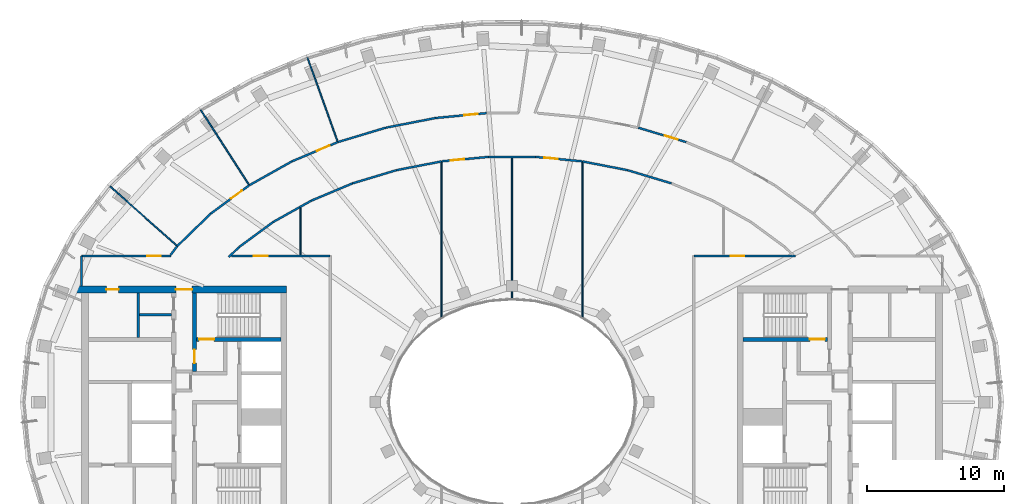
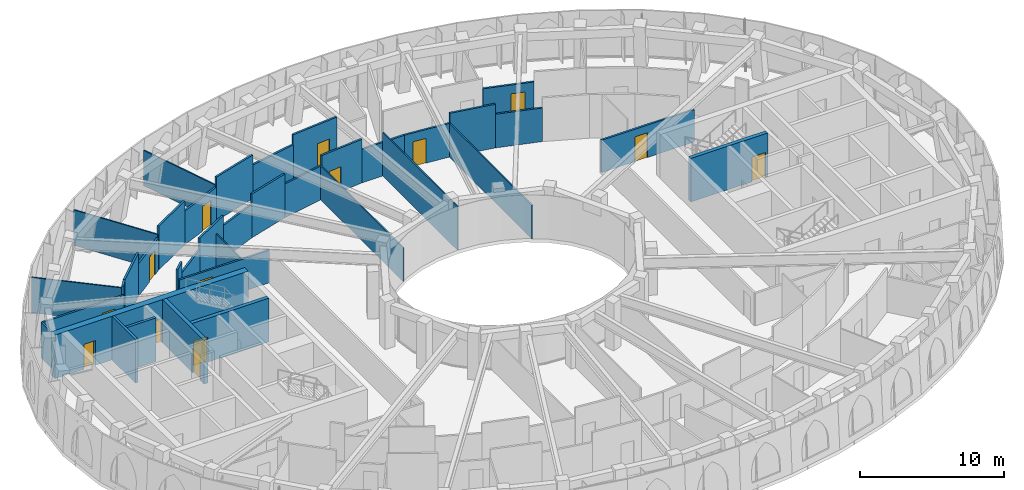
# One storey, part 6 of 15: 37 walls, 14 doors, 14 openings.
"""IFC4 building model written with IfcOpenShell, lengths in metres."""

from ifc_helpers import new_model, si_unit, direction, frame, frame_2d, origin, place, context, subcontext, project, spatial, rectangle, extrude, material, layer, layer_set, type_object, element, fill, save


model = new_model("IFC4")

# Units and contexts
model_context = context("Model", 3, precision=1e-05, world=origin(), true_north=direction((0.0, 1.0)))
body_context = subcontext(model_context, "Body", "Model", "MODEL_VIEW")
ifc_project = project(units=[si_unit("LENGTHUNIT", "METRE"), si_unit("AREAUNIT", "SQUARE_METRE"), si_unit("VOLUMEUNIT", "CUBIC_METRE"), si_unit("PLANEANGLEUNIT", "RADIAN"), si_unit("MASSUNIT", "GRAM", prefix="KILO")], contexts=[model_context])

# Site, building, storey
site_placement = place(None, origin())
site = spatial("IfcSite", under=ifc_project, at=site_placement, CompositionType="ELEMENT")
building_placement = place(site_placement, origin())
building = spatial("IfcBuilding", under=site, at=building_placement, Name="Noorbagh Ring Tower", CompositionType="ELEMENT")
storey_placement = place(building_placement, frame((0.0, 0.0, 331.0)))
storey = spatial("IfcBuildingStorey", under=building, at=storey_placement, Name="L72", CompositionType="ELEMENT", Elevation=331.0)

# Walls
ifc_material_1 = material(Name="Gypsum board on steel studs", Category="steel")
ifc_layer_1 = layer(ifc_material_1, 0.199951171875)
ifc_layer_set_1 = layer_set([ifc_layer_1], Name="Gypsum board on steel studs")
wall_type_1 = type_object("IfcWallType", Name="CORE-PARTITION-200", PredefinedType="PARTITIONING", material=ifc_layer_set_1)
wall_1_placement = place(storey_placement, frame((-27.35009765625, 4.75, 0.0), z_axis=(0.0, 0.0, 1.0), x_axis=(0.0, 1.0, 0.0)))
element("IfcWall", 1, at=wall_1_placement, inside=storey, type_object=wall_type_1, Name="Core partition W", PredefinedType="PARTITIONING", context=body_context, shape_type="SweptSolid", body=[
    extrude(rectangle(XDim=3.25, YDim=0.199951171875, at=frame_2d((1.625, 0.0))), origin(), (0.0, 0.0, 1.0), 3.699951171875),
])
wall_2_placement = place(storey_placement, frame((-24.89990234375, 6.39990234375, 0.0), z_axis=(0.0, 0.0, 1.0), x_axis=(-1.0, 0.0, 0.0)))
element("IfcWall", 2, at=wall_2_placement, inside=storey, type_object=wall_type_1, Name="Core partition W", PredefinedType="PARTITIONING", context=body_context, shape_type="SweptSolid", body=[
    extrude(rectangle(XDim=2.35009765625, YDim=0.199951171875, at=frame_2d((1.175048828125, 0.0))), origin(), (0.0, 0.0, 1.0), 3.699951171875),
])

# Wall, opening, door
ifc_material_2 = material(Name="Concrete C50/60", Category="concrete")
ifc_layer_2 = layer(ifc_material_2, 0.300048828125)
ifc_layer_set_2 = layer_set([ifc_layer_2], Name="Concrete C50/60")
wall_type_2 = type_object("IfcWallType", Name="CORE-WALL-300-C50-60-EI240", PredefinedType="SHEAR", material=ifc_layer_set_2)
wall_3_placement = place(storey_placement, frame((-23.22998046875, 2.25, 0.0), z_axis=(0.0, 0.0, 1.0), x_axis=(0.0, 1.0, 0.0)))
wall_3 = element("IfcWall", 3, at=wall_3_placement, inside=storey, type_object=wall_type_2, Name="Core wall W", PredefinedType="SHEAR", context=body_context, shape_type="SweptSolid", body=[
    extrude(rectangle(XDim=5.75, YDim=0.300048828125, at=frame_2d((2.875, 0.0))), origin(), (0.0, 0.0, 1.0), 3.699951171875),
])
opening_1_placement = place(wall_3_placement, frame((0.60009765625, 0.0, 0.0)))
opening_1 = element("IfcOpeningElement", 4, at=opening_1_placement, cuts=wall_3, Name="Opening L72-CW08", PredefinedType="OPENING", context=body_context, shape_type="SweptSolid", body=[
    extrude(rectangle(XDim=1.0, YDim=2.10009765625, at=frame_2d((0.5, 1.050048828125))), frame((0.0, 0.16015625, 0.0), z_axis=(0.0, -1.0, 0.0), x_axis=(1.0, 0.0, 0.0)), (0.0, 0.0, 1.0), 0.320068359375),
])
ifc_material_3 = material(Name="Steel door leaf", Category="steel")
door_type_1 = type_object("IfcDoorType", Name="CORE-DOOR-DVEST", OperationType="SINGLE_SWING_LEFT", PredefinedType="DOOR", material=ifc_material_3)
door_1_placement = place(opening_1_placement, origin())
door_1 = element("IfcDoor", 5, at=door_1_placement, inside=storey, type_object=door_type_1, Name="Stair vestibule door L72-CW08", OperationType="SINGLE_SWING_LEFT", OverallHeight=2.10009765625, OverallWidth=1.0, PredefinedType="DOOR", context=body_context, shape_type="SweptSolid", body=[
    extrude(rectangle(XDim=1.0, YDim=2.10009765625, at=frame_2d((0.5, 1.050048828125))), frame((0.0, 0.02490234375, 0.0), z_axis=(0.0, -1.0, 0.0), x_axis=(1.0, 0.0, 0.0)), (0.0, 0.0, 1.0), 0.050048828125),
])
fill(opening_1, door_1)

wall_4_placement = place(storey_placement, frame((-16.89990234375, 4.60009765625, 0.0), z_axis=(0.0, 0.0, 1.0), x_axis=(-1.0, 0.0, 0.0)))
wall_4 = element("IfcWall", 6, at=wall_4_placement, inside=storey, type_object=wall_type_2, Name="Core wall W", PredefinedType="SHEAR", context=body_context, shape_type="SweptSolid", body=[
    extrude(rectangle(XDim=6.18017578125, YDim=0.300048828125, at=frame_2d((3.090087890625, 0.0))), origin(), (0.0, 0.0, 1.0), 3.699951171875),
])
opening_2_placement = place(wall_4_placement, frame((4.89990234375, 0.0, 0.0)))
opening_2 = element("IfcOpeningElement", 7, at=opening_2_placement, cuts=wall_4, Name="Opening L72-CW05", PredefinedType="OPENING", context=body_context, shape_type="SweptSolid", body=[
    extrude(rectangle(XDim=1.10009765625, YDim=2.10009765625, at=frame_2d((0.550048828125, 1.050048828125))), frame((0.0, 0.16015625, 0.0), z_axis=(0.0, -1.0, 0.0), x_axis=(1.0, 0.0, 0.0)), (0.0, 0.0, 1.0), 0.320068359375),
])
ifc_material_4 = material(Name="Steel door leaf", Category="steel")
door_type_2 = type_object("IfcDoorType", Name="CORE-DOOR-DSTAIR", OperationType="SINGLE_SWING_LEFT", PredefinedType="DOOR", material=ifc_material_4)
door_2_placement = place(opening_2_placement, origin())
door_2 = element("IfcDoor", 8, at=door_2_placement, inside=storey, type_object=door_type_2, Name="Stair door ST1 L72-CW05", OperationType="SINGLE_SWING_RIGHT", OverallHeight=2.10009765625, OverallWidth=1.10009765625, PredefinedType="DOOR", context=body_context, shape_type="SweptSolid", body=[
    extrude(rectangle(XDim=1.10009765625, YDim=2.10009765625, at=frame_2d((0.550048828125, 1.050048828125))), frame((0.0, 0.02490234375, 0.0), z_axis=(0.0, -1.0, 0.0), x_axis=(1.0, 0.0, 0.0)), (0.0, 0.0, 1.0), 0.050048828125),
])
fill(opening_2, door_2)

wall_5_placement = place(storey_placement, frame((16.89990234375, 4.60009765625, 0.0), z_axis=(0.0, 0.0, 1.0), x_axis=(1.0, 0.0, 0.0)))
wall_5 = element("IfcWall", 9, at=wall_5_placement, inside=storey, type_object=wall_type_2, Name="Core wall E", PredefinedType="SHEAR", context=body_context, shape_type="SweptSolid", body=[
    extrude(rectangle(XDim=6.18017578125, YDim=0.300048828125, at=frame_2d((3.090087890625, 0.0))), origin(), (0.0, 0.0, 1.0), 3.699951171875),
])
opening_3_placement = place(wall_5_placement, frame((4.89990234375, 0.0, 0.0)))
opening_3 = element("IfcOpeningElement", 10, at=opening_3_placement, cuts=wall_5, Name="Opening L72-CE04", PredefinedType="OPENING", context=body_context, shape_type="SweptSolid", body=[
    extrude(rectangle(XDim=1.10009765625, YDim=2.10009765625, at=frame_2d((0.550048828125, 1.050048828125))), frame((0.0, 0.16015625, 0.0), z_axis=(0.0, -1.0, 0.0), x_axis=(1.0, 0.0, 0.0)), (0.0, 0.0, 1.0), 0.320068359375),
])
door_3_placement = place(opening_3_placement, origin())
door_3 = element("IfcDoor", 11, at=door_3_placement, inside=storey, type_object=door_type_2, Name="Stair door ST3 L72-CE04", OperationType="SINGLE_SWING_LEFT", OverallHeight=2.10009765625, OverallWidth=1.10009765625, PredefinedType="DOOR", context=body_context, shape_type="SweptSolid", body=[
    extrude(rectangle(XDim=1.10009765625, YDim=2.10009765625, at=frame_2d((0.550048828125, 1.050048828125))), frame((0.0, 0.02490234375, 0.0), z_axis=(0.0, -1.0, 0.0), x_axis=(1.0, 0.0, 0.0)), (0.0, 0.0, 1.0), 0.050048828125),
])
fill(opening_3, door_3)

# Wall, openings, doors
ifc_material_5 = material(Name="Concrete C50/60", Category="concrete")
ifc_layer_3 = layer(ifc_material_5, 0.5)
ifc_layer_set_3 = layer_set([ifc_layer_3], Name="Concrete C50/60")
wall_type_3 = type_object("IfcWallType", Name="CORE-WALL-500-C50-60-EI240", PredefinedType="SHEAR", material=ifc_layer_set_3)
wall_6_placement = place(storey_placement, frame((-16.5, 8.25, 0.0), z_axis=(0.0, 0.0, 1.0), x_axis=(-1.0, 0.0, 0.0)))
wall_6 = element("IfcWall", 12, at=wall_6_placement, inside=storey, type_object=wall_type_3, Name="Core wall W", PredefinedType="SHEAR", context=body_context, shape_type="SweptSolid", body=[
    extrude(rectangle(XDim=15.5, YDim=0.5, at=frame_2d((7.75, 0.0))), origin(), (0.0, 0.0, 1.0), 3.699951171875),
])
opening_4_placement = place(wall_6_placement, frame((6.89990234375, 0.0, 0.0)))
opening_4 = element("IfcOpeningElement", 13, at=opening_4_placement, cuts=wall_6, Name="Opening L72-CW09", PredefinedType="OPENING", context=body_context, shape_type="SweptSolid", body=[
    extrude(rectangle(XDim=1.199951171875, YDim=2.10009765625, at=frame_2d((0.60009765625, 1.050048828125))), frame((0.0, 0.260009765625, 0.0), z_axis=(0.0, -1.0, 0.0), x_axis=(1.0, 0.0, 0.0)), (0.0, 0.0, 1.0), 0.52001953125),
])
opening_5_placement = place(wall_6_placement, frame((12.27490234375, 0.0, 0.0)))
opening_5 = element("IfcOpeningElement", 14, at=opening_5_placement, cuts=wall_6, Name="Opening L72-CW14", PredefinedType="OPENING", context=body_context, shape_type="SweptSolid", body=[
    extrude(rectangle(XDim=0.89990234375, YDim=2.10009765625, at=frame_2d((0.449951171875, 1.050048828125))), frame((0.0, 0.260009765625, 0.0), z_axis=(0.0, -1.0, 0.0), x_axis=(1.0, 0.0, 0.0)), (0.0, 0.0, 1.0), 0.52001953125),
])
ifc_material_6 = material(Name="Steel door leaf", Category="steel")
door_type_3 = type_object("IfcDoorType", Name="CORE-DOOR-DROOM", OperationType="SINGLE_SWING_LEFT", PredefinedType="DOOR", material=ifc_material_6)
door_4_placement = place(opening_5_placement, origin())
door_4 = element("IfcDoor", 15, at=door_4_placement, inside=storey, type_object=door_type_3, Name="Core room door L72-CW14", OperationType="SINGLE_SWING_RIGHT", OverallHeight=2.10009765625, OverallWidth=0.89990234375, PredefinedType="DOOR", context=body_context, shape_type="SweptSolid", body=[
    extrude(rectangle(XDim=0.89990234375, YDim=2.10009765625, at=frame_2d((0.449951171875, 1.050048828125))), frame((0.0, 0.02490234375, 0.0), z_axis=(0.0, -1.0, 0.0), x_axis=(1.0, 0.0, 0.0)), (0.0, 0.0, 1.0), 0.050048828125),
])
fill(opening_5, door_4)
ifc_material_7 = material(Name="Steel door leaf", Category="steel")
door_type_4 = type_object("IfcDoorType", Name="CORE-DOOR-PORT", OperationType="DOUBLE_DOOR_DOUBLE_SWING", PredefinedType="DOOR", material=ifc_material_7)
door_5_placement = place(opening_4_placement, origin())
door_5 = element("IfcDoor", 16, at=door_5_placement, inside=storey, type_object=door_type_4, Name="Core entrance door L72-CW09", OperationType="DOUBLE_DOOR_DOUBLE_SWING", OverallHeight=2.10009765625, OverallWidth=1.199951171875, PredefinedType="DOOR", context=body_context, shape_type="SweptSolid", body=[
    extrude(rectangle(XDim=1.199951171875, YDim=2.10009765625, at=frame_2d((0.60009765625, 1.050048828125))), frame((0.0, 0.02490234375, 0.0), z_axis=(0.0, -1.0, 0.0), x_axis=(1.0, 0.0, 0.0)), (0.0, 0.0, 1.0), 0.050048828125),
])
fill(opening_4, door_5)

# Wall
ifc_material_8 = material(Name="Gypsum board on steel studs", Category="steel")
ifc_layer_4 = layer(ifc_material_8, 0.14990234375)
ifc_layer_set_4 = layer_set([ifc_layer_4], Name="Gypsum board on steel studs")
wall_type_4 = type_object("IfcWallType", Name="CORRIDOR PARTITION 150 EI 30", PredefinedType="PARTITIONING", material=ifc_layer_set_4)
wall_7_placement = place(storey_placement, frame((-31.5, 8.5, 0.0), z_axis=(0.0, 0.0, 1.0), x_axis=(0.0, 1.0, 0.0)))
element("IfcWall", 17, at=wall_7_placement, inside=storey, type_object=wall_type_4, Name="L72/wall/P04", PredefinedType="PARTITIONING", context=body_context, shape_type="SweptSolid", body=[
    extrude(rectangle(XDim=2.199951171875, YDim=0.14990234375, at=frame_2d((1.10009765625, 0.0))), origin(), (0.0, 0.0, 1.0), 3.0),
])

# Wall, opening, door
wall_8_placement = place(storey_placement, frame((-31.5, 10.699951171875, 0.0), z_axis=(0.0, 0.0, 1.0), x_axis=(1.0, 0.0, 0.0)))
wall_8 = element("IfcWall", 18, at=wall_8_placement, inside=storey, type_object=wall_type_4, Name="L72/wall/P05", PredefinedType="PARTITIONING", context=body_context, shape_type="SweptSolid", body=[
    extrude(rectangle(XDim=6.554931640625, YDim=0.14990234375, at=frame_2d((3.27734375, 0.0))), origin(), (0.0, 0.0, 1.0), 3.0),
])
opening_6_placement = place(wall_8_placement, frame((4.81103515625, 0.0, 0.0)))
opening_6 = element("IfcOpeningElement", 19, at=opening_6_placement, cuts=wall_8, Name="Opening D1", PredefinedType="OPENING", context=body_context, shape_type="SweptSolid", body=[
    extrude(rectangle(XDim=1.0, YDim=2.10009765625, at=frame_2d((0.5, 1.050048828125))), frame((0.0, 0.0849609375, 0.0), z_axis=(0.0, -1.0, 0.0), x_axis=(1.0, 0.0, 0.0)), (0.0, 0.0, 1.0), 0.169921875),
])
ifc_material_9 = material(Name="Timber, painted", Category="wood")
door_type_5 = type_object("IfcDoorType", Name="DOOR 1000 X 2100 FD30", OperationType="SINGLE_SWING_LEFT", PredefinedType="DOOR", material=ifc_material_9)
door_6_placement = place(opening_6_placement, origin())
door_6 = element("IfcDoor", 20, at=door_6_placement, inside=storey, type_object=door_type_5, Name="L72-D07", OperationType="SINGLE_SWING_LEFT", OverallHeight=2.10009765625, OverallWidth=1.0, PredefinedType="DOOR", context=body_context, shape_type="SweptSolid", body=[
    extrude(rectangle(XDim=1.0, YDim=2.10009765625, at=frame_2d((0.5, 1.050048828125))), frame((0.0, 0.02490234375, 0.0), z_axis=(0.0, -1.0, 0.0), x_axis=(1.0, 0.0, 0.0)), (0.0, 0.0, 1.0), 0.050048828125),
])
fill(opening_6, door_6)

# Walls
wall_9_placement = place(storey_placement, frame((-24.98193359375, 10.77490234375, 0.0), z_axis=(0.0, 0.0, 1.0), x_axis=(0.605137674799, 0.796120841668, 0.0)))
element("IfcWall", 21, at=wall_9_placement, inside=storey, type_object=wall_type_4, Name="L72/wall/P09", PredefinedType="PARTITIONING", context=body_context, shape_type="SweptSolid", body=[
    extrude(rectangle(XDim=0.79638671875, YDim=0.14990234375, at=frame_2d((0.398193359375, 0.0))), origin(), (0.0, 0.0, 1.0), 3.699951171875),
])
wall_10_placement = place(storey_placement, frame((-24.488037109375, 11.425048828125, 0.0), z_axis=(0.0, 0.0, 1.0), x_axis=(0.717739743756, 0.696311467831, 0.0)))
element("IfcWall", 22, at=wall_10_placement, inside=storey, type_object=wall_type_4, Name="L72/wall/P11", PredefinedType="PARTITIONING", context=body_context, shape_type="SweptSolid", body=[
    extrude(rectangle(XDim=3.40673828125, YDim=0.14990234375, at=frame_2d((1.703369140625, 0.0))), origin(), (0.0, 0.0, 1.0), 3.699951171875),
])

# Wall, opening, door
wall_11_placement = place(storey_placement, frame((-22.04296875, 13.797119140625, 0.0), z_axis=(0.0, 0.0, 1.0), x_axis=(0.805646089286, 0.592397146193, 0.0)))
wall_11 = element("IfcWall", 23, at=wall_11_placement, inside=storey, type_object=wall_type_4, Name="L72/wall/P15", PredefinedType="PARTITIONING", context=body_context, shape_type="SweptSolid", body=[
    extrude(rectangle(XDim=3.48046875, YDim=0.14990234375, at=frame_2d((1.740234375, 0.0))), origin(), (0.0, 0.0, 1.0), 2.75),
])
opening_7_placement = place(wall_11_placement, frame((1.8505859375, 0.0, 0.0)))
opening_7 = element("IfcOpeningElement", 24, at=opening_7_placement, cuts=wall_11, Name="Opening D1", PredefinedType="OPENING", context=body_context, shape_type="SweptSolid", body=[
    extrude(rectangle(XDim=1.0, YDim=2.10009765625, at=frame_2d((0.5, 1.050048828125))), frame((0.0, 0.0849609375, 0.0), z_axis=(0.0, -1.0, 0.0), x_axis=(1.0, 0.0, 0.0)), (0.0, 0.0, 1.0), 0.169921875),
])
door_7_placement = place(opening_7_placement, origin())
door_7 = element("IfcDoor", 25, at=door_7_placement, inside=storey, type_object=door_type_5, Name="L72-D09", OperationType="SINGLE_SWING_LEFT", OverallHeight=2.10009765625, OverallWidth=1.0, PredefinedType="DOOR", context=body_context, shape_type="SweptSolid", body=[
    extrude(rectangle(XDim=1.0, YDim=2.10009765625, at=frame_2d((0.5, 1.050048828125))), frame((0.0, 0.02490234375, 0.0), z_axis=(0.0, -1.0, 0.0), x_axis=(1.0, 0.0, 0.0)), (0.0, 0.0, 1.0), 0.050048828125),
])
fill(opening_7, door_7)

# Wall
wall_12_placement = place(storey_placement, frame((-20.717041015625, 10.625, 0.0), z_axis=(0.0, 0.0, 1.0), x_axis=(0.71772586077, 0.696325777766, 0.0)))
element("IfcWall", 26, at=wall_12_placement, inside=storey, type_object=wall_type_4, Name="L72/wall/P18", PredefinedType="PARTITIONING", context=body_context, shape_type="SweptSolid", body=[
    extrude(rectangle(XDim=1.0380859375, YDim=0.14990234375, at=frame_2d((0.51904296875, 0.0))), origin(), (0.0, 0.0, 1.0), 3.699951171875),
])

# Wall, opening, door
wall_13_placement = place(storey_placement, frame((-20.531982421875, 10.699951171875, 0.0), z_axis=(0.0, 0.0, 1.0), x_axis=(1.0, 0.0, 0.0)))
wall_13 = element("IfcWall", 27, at=wall_13_placement, inside=storey, type_object=wall_type_4, Name="L72/wall/P19", PredefinedType="PARTITIONING", context=body_context, shape_type="SweptSolid", body=[
    extrude(rectangle(XDim=7.23193359375, YDim=0.14990234375, at=frame_2d((3.615966796875, 0.0))), origin(), (0.0, 0.0, 1.0), 2.75),
])
opening_8_placement = place(wall_13_placement, frame((1.652099609375, 0.0, 0.0)))
opening_8 = element("IfcOpeningElement", 28, at=opening_8_placement, cuts=wall_13, Name="Opening D1", PredefinedType="OPENING", context=body_context, shape_type="SweptSolid", body=[
    extrude(rectangle(XDim=1.0, YDim=2.10009765625, at=frame_2d((0.5, 1.050048828125))), frame((0.0, 0.0849609375, 0.0), z_axis=(0.0, -1.0, 0.0), x_axis=(1.0, 0.0, 0.0)), (0.0, 0.0, 1.0), 0.169921875),
])
door_8_placement = place(opening_8_placement, origin())
door_8 = element("IfcDoor", 29, at=door_8_placement, inside=storey, type_object=door_type_5, Name="L72-D24", OperationType="SINGLE_SWING_RIGHT", OverallHeight=2.10009765625, OverallWidth=1.0, PredefinedType="DOOR", context=body_context, shape_type="SweptSolid", body=[
    extrude(rectangle(XDim=1.0, YDim=2.10009765625, at=frame_2d((0.5, 1.050048828125))), frame((0.0, 0.02490234375, 0.0), z_axis=(0.0, -1.0, 0.0), x_axis=(1.0, 0.0, 0.0)), (0.0, 0.0, 1.0), 0.050048828125),
])
fill(opening_8, door_8)

# Walls
wall_14_placement = place(storey_placement, frame((-19.971923828125, 11.347900390625, 0.0), z_axis=(0.0, 0.0, 1.0), x_axis=(0.805604364185, 0.592453887156, 0.0)))
element("IfcWall", 30, at=wall_14_placement, inside=storey, type_object=wall_type_4, Name="L72/wall/P21", PredefinedType="PARTITIONING", context=body_context, shape_type="SweptSolid", body=[
    extrude(rectangle(XDim=3.085693359375, YDim=0.14990234375, at=frame_2d((1.54296875, 0.0))), origin(), (0.0, 0.0, 1.0), 2.75),
])
wall_15_placement = place(storey_placement, frame((-19.205078125, 15.881103515625, 0.0), z_axis=(0.0, 0.0, 1.0), x_axis=(0.872347968233, 0.488885489986, 0.0)))
element("IfcWall", 31, at=wall_15_placement, inside=storey, type_object=wall_type_4, Name="L72/wall/P23", PredefinedType="PARTITIONING", context=body_context, shape_type="SweptSolid", body=[
    extrude(rectangle(XDim=3.55712890625, YDim=0.14990234375, at=frame_2d((1.778564453125, 0.0))), origin(), (0.0, 0.0, 1.0), 3.699951171875),
])
wall_16_placement = place(storey_placement, frame((-17.486083984375, 13.176025390625, 0.0), z_axis=(0.0, 0.0, 1.0), x_axis=(0.87243050092, 0.488738192762, 0.0)))
element("IfcWall", 32, at=wall_16_placement, inside=storey, type_object=wall_type_4, Name="L72/wall/P25", PredefinedType="PARTITIONING", context=body_context, shape_type="SweptSolid", body=[
    extrude(rectangle(XDim=3.197998046875, YDim=0.14990234375, at=frame_2d((1.59912109375, 0.0))), origin(), (0.0, 0.0, 1.0), 3.699951171875),
])

# Wall, opening, door
wall_17_placement = place(storey_placement, frame((-16.10205078125, 17.6201171875, 0.0), z_axis=(0.0, 0.0, 1.0), x_axis=(0.922059204721, 0.387048863826, 0.0)))
wall_17 = element("IfcWall", 33, at=wall_17_placement, inside=storey, type_object=wall_type_4, Name="L72/wall/P27", PredefinedType="PARTITIONING", context=body_context, shape_type="SweptSolid", body=[
    extrude(rectangle(XDim=3.616943359375, YDim=0.14990234375, at=frame_2d((1.80859375, 0.0))), origin(), (0.0, 0.0, 1.0), 2.85009765625),
])
opening_9_placement = place(wall_17_placement, frame((1.987548828125, 0.0, 0.0)))
opening_9 = element("IfcOpeningElement", 34, at=opening_9_placement, cuts=wall_17, Name="Opening D1", PredefinedType="OPENING", context=body_context, shape_type="SweptSolid", body=[
    extrude(rectangle(XDim=1.0, YDim=2.10009765625, at=frame_2d((0.5, 1.050048828125))), frame((0.0, 0.0849609375, 0.0), z_axis=(0.0, -1.0, 0.0), x_axis=(1.0, 0.0, 0.0)), (0.0, 0.0, 1.0), 0.169921875),
])
door_9_placement = place(opening_9_placement, origin())
door_9 = element("IfcDoor", 35, at=door_9_placement, inside=storey, type_object=door_type_5, Name="L72-D11", OperationType="SINGLE_SWING_LEFT", OverallHeight=2.10009765625, OverallWidth=1.0, PredefinedType="DOOR", context=body_context, shape_type="SweptSolid", body=[
    extrude(rectangle(XDim=1.0, YDim=2.10009765625, at=frame_2d((0.5, 1.050048828125))), frame((0.0, 0.02490234375, 0.0), z_axis=(0.0, -1.0, 0.0), x_axis=(1.0, 0.0, 0.0)), (0.0, 0.0, 1.0), 0.050048828125),
])
fill(opening_9, door_9)

# Walls
wall_18_placement = place(storey_placement, frame((-14.696044921875, 14.739013671875, 0.0), z_axis=(0.0, 0.0, 1.0), x_axis=(0.921990059586, 0.387213545766, 0.0)))
element("IfcWall", 36, at=wall_18_placement, inside=storey, type_object=wall_type_4, Name="L72/wall/P33", PredefinedType="PARTITIONING", context=body_context, shape_type="SweptSolid", body=[
    extrude(rectangle(XDim=3.287353515625, YDim=0.14990234375, at=frame_2d((1.6435546875, 0.0))), origin(), (0.0, 0.0, 1.0), 2.85009765625),
])
wall_19_placement = place(storey_placement, frame((-12.748046875, 19.028076171875, 0.0), z_axis=(0.0, 0.0, 1.0), x_axis=(0.957729475266, 0.287670388131, 0.0)))
element("IfcWall", 37, at=wall_19_placement, inside=storey, type_object=wall_type_4, Name="L72/wall/P36", PredefinedType="PARTITIONING", context=body_context, shape_type="SweptSolid", body=[
    extrude(rectangle(XDim=3.6806640625, YDim=0.14990234375, at=frame_2d((1.84033203125, 0.0))), origin(), (0.0, 0.0, 1.0), 3.699951171875),
])
wall_20_placement = place(storey_placement, frame((-11.6650390625, 16.011962890625, 0.0), z_axis=(0.0, 0.0, 1.0), x_axis=(0.957734013197, 0.287655279747, 0.0)))
element("IfcWall", 38, at=wall_20_placement, inside=storey, type_object=wall_type_4, Name="L72/wall/P38", PredefinedType="PARTITIONING", context=body_context, shape_type="SweptSolid", body=[
    extrude(rectangle(XDim=3.3515625, YDim=0.14990234375, at=frame_2d((1.67578125, 0.0))), origin(), (0.0, 0.0, 1.0), 3.699951171875),
])
wall_21_placement = place(storey_placement, frame((-9.222900390625, 20.0869140625, 0.0), z_axis=(0.0, 0.0, 1.0), x_axis=(0.981690282658, 0.190484091027, 0.0)))
element("IfcWall", 39, at=wall_21_placement, inside=storey, type_object=wall_type_4, Name="L72/wall/P40", PredefinedType="PARTITIONING", context=body_context, shape_type="SweptSolid", body=[
    extrude(rectangle(XDim=3.711669921875, YDim=0.14990234375, at=frame_2d((1.85595703125, 0.0))), origin(), (0.0, 0.0, 1.0), 2.85009765625),
])
wall_22_placement = place(storey_placement, frame((-8.455078125, 16.97607421875, 0.0), z_axis=(0.0, 0.0, 1.0), x_axis=(0.981716325185, 0.190349827592, 0.0)))
element("IfcWall", 40, at=wall_22_placement, inside=storey, type_object=wall_type_4, Name="L72/wall/P42", PredefinedType="PARTITIONING", context=body_context, shape_type="SweptSolid", body=[
    extrude(rectangle(XDim=3.3564453125, YDim=0.14990234375, at=frame_2d((1.67822265625, 0.0))), origin(), (0.0, 0.0, 1.0), 2.85009765625),
])

# Wall, opening, door
wall_23_placement = place(storey_placement, frame((-5.5791015625, 20.7939453125, 0.0), z_axis=(0.0, 0.0, 1.0), x_axis=(0.995483694889, 0.09493267725, 0.0)))
wall_23 = element("IfcWall", 41, at=wall_23_placement, inside=storey, type_object=wall_type_4, Name="L72/wall/P44", PredefinedType="PARTITIONING", context=body_context, shape_type="SweptSolid", body=[
    extrude(rectangle(XDim=3.72900390625, YDim=0.14990234375, at=frame_2d((1.864501953125, 0.0))), origin(), (0.0, 0.0, 1.0), 3.699951171875),
])
opening_10_placement = place(wall_23_placement, frame((2.078857421875, 0.0, 0.0)))
opening_10 = element("IfcOpeningElement", 42, at=opening_10_placement, cuts=wall_23, Name="Opening D1", PredefinedType="OPENING", context=body_context, shape_type="SweptSolid", body=[
    extrude(rectangle(XDim=1.0, YDim=2.10009765625, at=frame_2d((0.5, 1.050048828125))), frame((0.0, 0.0849609375, 0.0), z_axis=(0.0, -1.0, 0.0), x_axis=(1.0, 0.0, 0.0)), (0.0, 0.0, 1.0), 0.169921875),
])
door_10_placement = place(opening_10_placement, origin())
door_10 = element("IfcDoor", 43, at=door_10_placement, inside=storey, type_object=door_type_5, Name="L72-D13", OperationType="SINGLE_SWING_LEFT", OverallHeight=2.10009765625, OverallWidth=1.0, PredefinedType="DOOR", context=body_context, shape_type="SweptSolid", body=[
    extrude(rectangle(XDim=1.0, YDim=2.10009765625, at=frame_2d((0.5, 1.050048828125))), frame((0.0, 0.02490234375, 0.0), z_axis=(0.0, -1.0, 0.0), x_axis=(1.0, 0.0, 0.0)), (0.0, 0.0, 1.0), 0.050048828125),
])
fill(opening_10, door_10)

wall_24_placement = place(storey_placement, frame((-5.12109375, 17.623046875, 0.0), z_axis=(0.0, 0.0, 1.0), x_axis=(0.995479744688, 0.094974090759, 0.0)))
wall_24 = element("IfcWall", 44, at=wall_24_placement, inside=storey, type_object=wall_type_4, Name="L72/wall/P48", PredefinedType="PARTITIONING", context=body_context, shape_type="SweptSolid", body=[
    extrude(rectangle(XDim=3.42138671875, YDim=0.14990234375, at=frame_2d((1.710693359375, 0.0))), origin(), (0.0, 0.0, 1.0), 3.699951171875),
])
opening_11_placement = place(wall_24_placement, frame((0.64990234375, 0.0, 0.0)))
opening_11 = element("IfcOpeningElement", 45, at=opening_11_placement, cuts=wall_24, Name="Opening D1", PredefinedType="OPENING", context=body_context, shape_type="SweptSolid", body=[
    extrude(rectangle(XDim=1.0, YDim=2.10009765625, at=frame_2d((0.5, 1.050048828125))), frame((0.0, 0.0849609375, 0.0), z_axis=(0.0, -1.0, 0.0), x_axis=(1.0, 0.0, 0.0)), (0.0, 0.0, 1.0), 0.169921875),
])
door_11_placement = place(opening_11_placement, origin())
door_11 = element("IfcDoor", 46, at=door_11_placement, inside=storey, type_object=door_type_5, Name="L72-D27", OperationType="SINGLE_SWING_LEFT", OverallHeight=2.10009765625, OverallWidth=1.0, PredefinedType="DOOR", context=body_context, shape_type="SweptSolid", body=[
    extrude(rectangle(XDim=1.0, YDim=2.10009765625, at=frame_2d((0.5, 1.050048828125))), frame((0.0, 0.02490234375, 0.0), z_axis=(0.0, -1.0, 0.0), x_axis=(1.0, 0.0, 0.0)), (0.0, 0.0, 1.0), 0.050048828125),
])
fill(opening_11, door_11)

# Wall
wall_25_placement = place(storey_placement, frame((-1.715087890625, 17.947998046875, 0.0), z_axis=(0.0, 0.0, 1.0), x_axis=(1.0, 0.0, 0.0)))
element("IfcWall", 47, at=wall_25_placement, inside=storey, type_object=wall_type_4, Name="L72/wall/P52", PredefinedType="PARTITIONING", context=body_context, shape_type="SweptSolid", body=[
    extrude(rectangle(XDim=3.43017578125, YDim=0.14990234375, at=frame_2d((1.715087890625, 0.0))), origin(), (0.0, 0.0, 1.0), 2.85009765625),
])

# Wall, opening, door
wall_26_placement = place(storey_placement, frame((1.715087890625, 17.947998046875, 0.0), z_axis=(0.0, 0.0, 1.0), x_axis=(0.995479744688, -0.094974090759, 0.0)))
wall_26 = element("IfcWall", 48, at=wall_26_placement, inside=storey, type_object=wall_type_4, Name="L72/wall/P62", PredefinedType="PARTITIONING", context=body_context, shape_type="SweptSolid", body=[
    extrude(rectangle(XDim=3.42138671875, YDim=0.14990234375, at=frame_2d((1.710693359375, 0.0))), origin(), (0.0, 0.0, 1.0), 2.85009765625),
])
opening_12_placement = place(wall_26_placement, frame((0.64990234375, 0.0, 0.0)))
opening_12 = element("IfcOpeningElement", 49, at=opening_12_placement, cuts=wall_26, Name="Opening D1", PredefinedType="OPENING", context=body_context, shape_type="SweptSolid", body=[
    extrude(rectangle(XDim=1.0, YDim=2.10009765625, at=frame_2d((0.5, 1.050048828125))), frame((0.0, 0.0849609375, 0.0), z_axis=(0.0, -1.0, 0.0), x_axis=(1.0, 0.0, 0.0)), (0.0, 0.0, 1.0), 0.169921875),
])
door_12_placement = place(opening_12_placement, origin())
door_12 = element("IfcDoor", 50, at=door_12_placement, inside=storey, type_object=door_type_5, Name="L72-D29", OperationType="SINGLE_SWING_LEFT", OverallHeight=2.10009765625, OverallWidth=1.0, PredefinedType="DOOR", context=body_context, shape_type="SweptSolid", body=[
    extrude(rectangle(XDim=1.0, YDim=2.10009765625, at=frame_2d((0.5, 1.050048828125))), frame((0.0, 0.02490234375, 0.0), z_axis=(0.0, -1.0, 0.0), x_axis=(1.0, 0.0, 0.0)), (0.0, 0.0, 1.0), 0.050048828125),
])
fill(opening_12, door_12)

# Walls
wall_27_placement = place(storey_placement, frame((5.159912109375, 17.614990234375, 0.0), z_axis=(0.0, 0.0, 1.0), x_axis=(0.981716325185, -0.190349827592, 0.0)))
element("IfcWall", 51, at=wall_27_placement, inside=storey, type_object=wall_type_4, Name="L72/wall/P70", PredefinedType="PARTITIONING", context=body_context, shape_type="SweptSolid", body=[
    extrude(rectangle(XDim=3.3564453125, YDim=0.14990234375, at=frame_2d((1.67822265625, 0.0))), origin(), (0.0, 0.0, 1.0), 3.699951171875),
])
wall_28_placement = place(storey_placement, frame((8.455078125, 16.97607421875, 0.0), z_axis=(0.0, 0.0, 1.0), x_axis=(0.957734013197, -0.287655279747, 0.0)))
element("IfcWall", 52, at=wall_28_placement, inside=storey, type_object=wall_type_4, Name="L72/wall/P74", PredefinedType="PARTITIONING", context=body_context, shape_type="SweptSolid", body=[
    extrude(rectangle(XDim=3.3515625, YDim=0.14990234375, at=frame_2d((1.67578125, 0.0))), origin(), (0.0, 0.0, 1.0), 2.85009765625),
])

# Wall, opening, door
wall_29_placement = place(storey_placement, frame((9.241943359375, 20.0810546875, 0.0), z_axis=(0.0, 0.0, 1.0), x_axis=(0.957739972899, -0.287635436468, 0.0)))
wall_29 = element("IfcWall", 53, at=wall_29_placement, inside=storey, type_object=wall_type_4, Name="L72/wall/P78", PredefinedType="PARTITIONING", context=body_context, shape_type="SweptSolid", body=[
    extrude(rectangle(XDim=3.660888671875, YDim=0.14990234375, at=frame_2d((1.83056640625, 0.0))), origin(), (0.0, 0.0, 1.0), 2.85009765625),
])
opening_13_placement = place(wall_29_placement, frame((2.0107421875, 0.0, 0.0)))
opening_13 = element("IfcOpeningElement", 54, at=opening_13_placement, cuts=wall_29, Name="Opening D1", PredefinedType="OPENING", context=body_context, shape_type="SweptSolid", body=[
    extrude(rectangle(XDim=1.0, YDim=2.10009765625, at=frame_2d((0.5, 1.050048828125))), frame((0.0, 0.0849609375, 0.0), z_axis=(0.0, -1.0, 0.0), x_axis=(1.0, 0.0, 0.0)), (0.0, 0.0, 1.0), 0.169921875),
])
door_13_placement = place(opening_13_placement, origin())
door_13 = element("IfcDoor", 55, at=door_13_placement, inside=storey, type_object=door_type_5, Name="L72-D17", OperationType="SINGLE_SWING_LEFT", OverallHeight=2.10009765625, OverallWidth=1.0, PredefinedType="DOOR", context=body_context, shape_type="SweptSolid", body=[
    extrude(rectangle(XDim=1.0, YDim=2.10009765625, at=frame_2d((0.5, 1.050048828125))), frame((0.0, 0.02490234375, 0.0), z_axis=(0.0, -1.0, 0.0), x_axis=(1.0, 0.0, 0.0)), (0.0, 0.0, 1.0), 0.050048828125),
])
fill(opening_13, door_13)

wall_30_placement = place(storey_placement, frame((13.300048828125, 10.699951171875, 0.0), z_axis=(0.0, 0.0, 1.0), x_axis=(1.0, 0.0, 0.0)))
wall_30 = element("IfcWall", 56, at=wall_30_placement, inside=storey, type_object=wall_type_4, Name="L72/wall/P85", PredefinedType="PARTITIONING", context=body_context, shape_type="SweptSolid", body=[
    extrude(rectangle(XDim=7.447998046875, YDim=0.14990234375, at=frame_2d((3.72412109375, 0.0))), origin(), (0.0, 0.0, 1.0), 2.75),
])
opening_14_placement = place(wall_30_placement, frame((2.68994140625, 0.0, 0.0)))
opening_14 = element("IfcOpeningElement", 57, at=opening_14_placement, cuts=wall_30, Name="Opening D1", PredefinedType="OPENING", context=body_context, shape_type="SweptSolid", body=[
    extrude(rectangle(XDim=1.0, YDim=2.10009765625, at=frame_2d((0.5, 1.050048828125))), frame((0.0, 0.0849609375, 0.0), z_axis=(0.0, -1.0, 0.0), x_axis=(1.0, 0.0, 0.0)), (0.0, 0.0, 1.0), 0.169921875),
])
door_14_placement = place(opening_14_placement, origin())
door_14 = element("IfcDoor", 58, at=door_14_placement, inside=storey, type_object=door_type_5, Name="L72-D32", OperationType="SINGLE_SWING_RIGHT", OverallHeight=2.10009765625, OverallWidth=1.0, PredefinedType="DOOR", context=body_context, shape_type="SweptSolid", body=[
    extrude(rectangle(XDim=1.0, YDim=2.10009765625, at=frame_2d((0.5, 1.050048828125))), frame((0.0, 0.02490234375, 0.0), z_axis=(0.0, -1.0, 0.0), x_axis=(1.0, 0.0, 0.0)), (0.0, 0.0, 1.0), 0.050048828125),
])
fill(opening_14, door_14)

# Walls
ifc_material_10 = material(Name="Gypsum board on steel studs", Category="steel")
ifc_layer_5 = layer(ifc_material_10, 0.10009765625)
ifc_layer_set_5 = layer_set([ifc_layer_5], Name="Gypsum board on steel studs")
wall_type_5 = type_object("IfcWallType", Name="PARTITION 100 GYPSUM", PredefinedType="PARTITIONING", material=ifc_layer_set_5)
wall_31_placement = place(storey_placement, frame((-29.405029296875, 15.781005859375, 0.0), z_axis=(0.0, 0.0, 1.0), x_axis=(0.74854493291, -0.663084069643, 0.0)))
element("IfcWall", 59, at=wall_31_placement, inside=storey, type_object=wall_type_5, Name="L72/wall/P07", PredefinedType="PARTITIONING", context=body_context, shape_type="SweptSolid", body=[
    extrude(rectangle(XDim=6.56494140625, YDim=0.10009765625, at=frame_2d((3.282470703125, 0.0))), origin(), (0.0, 0.0, 1.0), 3.0),
])
wall_32_placement = place(storey_placement, frame((-22.778076171875, 21.386962890625, 0.0), z_axis=(0.0, 0.0, 1.0), x_axis=(0.541722374397, -0.840557475178, 0.0)))
element("IfcWall", 60, at=wall_32_placement, inside=storey, type_object=wall_type_5, Name="L72/wall/P13", PredefinedType="PARTITIONING", context=body_context, shape_type="SweptSolid", body=[
    extrude(rectangle(XDim=6.55859375, YDim=0.10009765625, at=frame_2d((3.279296875, 0.0))), origin(), (0.0, 0.0, 1.0), 3.0),
])
wall_33_placement = place(storey_placement, frame((-15.47998046875, 10.77490234375, 0.0), z_axis=(0.0, 0.0, 1.0), x_axis=(0.0, 1.0, 0.0)))
element("IfcWall", 61, at=wall_33_placement, inside=storey, type_object=wall_type_5, Name="L72/wall/P29", PredefinedType="PARTITIONING", context=body_context, shape_type="SweptSolid", body=[
    extrude(rectangle(XDim=3.43505859375, YDim=0.10009765625, at=frame_2d((1.717529296875, 0.0))), origin(), (0.0, 0.0, 1.0), 2.75),
])
wall_34_placement = place(storey_placement, frame((-14.965087890625, 25.200927734375, 0.0), z_axis=(0.0, 0.0, 1.0), x_axis=(0.338077089715, -0.941118420503, 0.0)))
element("IfcWall", 62, at=wall_34_placement, inside=storey, type_object=wall_type_5, Name="L72/wall/P31", PredefinedType="PARTITIONING", context=body_context, shape_type="SweptSolid", body=[
    extrude(rectangle(XDim=6.554931640625, YDim=0.10009765625, at=frame_2d((3.27734375, 0.0))), origin(), (0.0, 0.0, 1.0), 3.0),
])
wall_35_placement = place(storey_placement, frame((-5.159912109375, 6.111083984375, 0.0), z_axis=(0.0, 0.0, 1.0), x_axis=(0.0, 1.0, 0.0)))
element("IfcWall", 63, at=wall_35_placement, inside=storey, type_object=wall_type_5, Name="L72/wall/P46", PredefinedType="PARTITIONING", context=body_context, shape_type="SweptSolid", body=[
    extrude(rectangle(XDim=11.5009765625, YDim=0.10009765625, at=frame_2d((5.75048828125, 0.0))), origin(), (0.0, 0.0, 1.0), 2.85009765625),
])
wall_36_placement = place(storey_placement, frame((0.0, 7.50390625, 0.0), z_axis=(0.0, 0.0, 1.0), x_axis=(0.0, 1.0, 0.0)))
element("IfcWall", 64, at=wall_36_placement, inside=storey, type_object=wall_type_5, Name="L72/wall/P54", PredefinedType="PARTITIONING", context=body_context, shape_type="SweptSolid", body=[
    extrude(rectangle(XDim=10.369140625, YDim=0.10009765625, at=frame_2d((5.1845703125, 0.0))), origin(), (0.0, 0.0, 1.0), 3.699951171875),
])
wall_37_placement = place(storey_placement, frame((5.159912109375, 6.111083984375, 0.0), z_axis=(0.0, 0.0, 1.0), x_axis=(0.0, 1.0, 0.0)))
element("IfcWall", 65, at=wall_37_placement, inside=storey, type_object=wall_type_5, Name="L72/wall/P69", PredefinedType="PARTITIONING", context=body_context, shape_type="SweptSolid", body=[
    extrude(rectangle(XDim=11.5009765625, YDim=0.10009765625, at=frame_2d((5.75048828125, 0.0))), origin(), (0.0, 0.0, 1.0), 2.85009765625),
])

save(model, "model.ifc")
